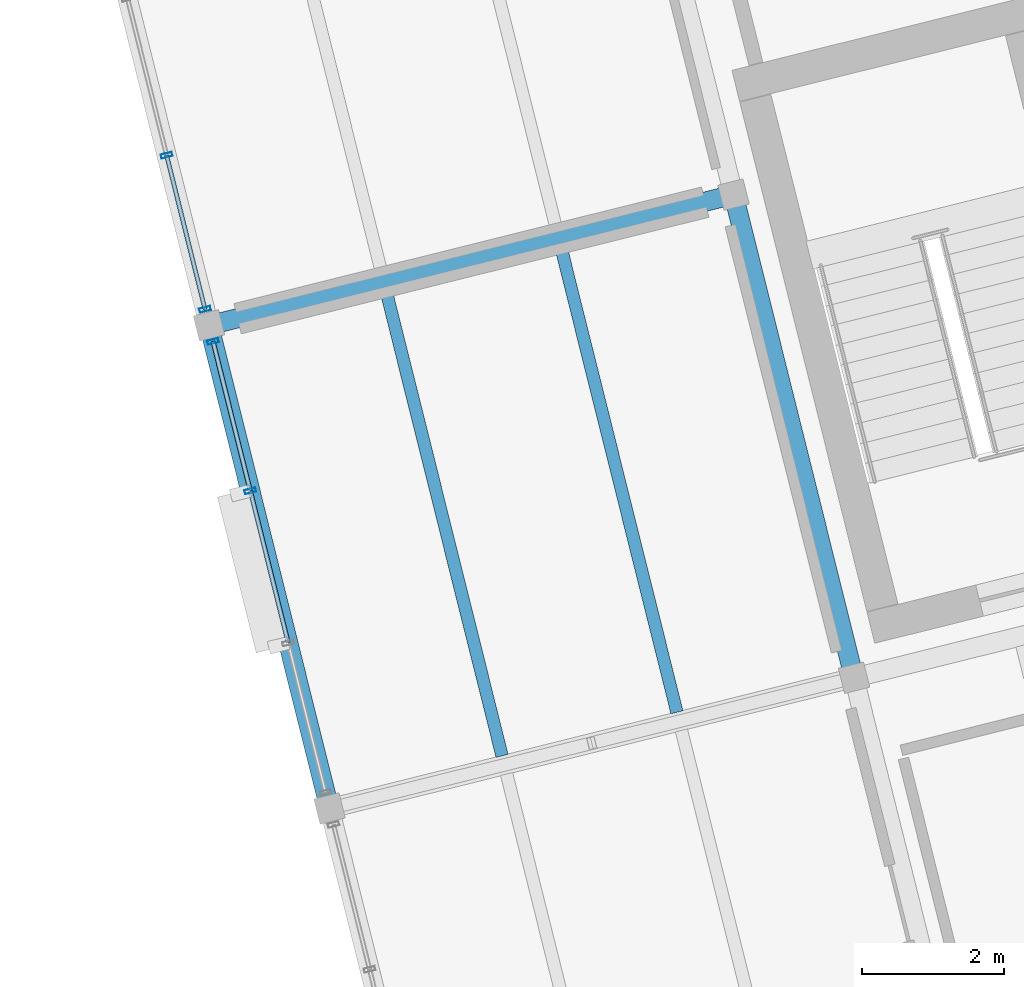
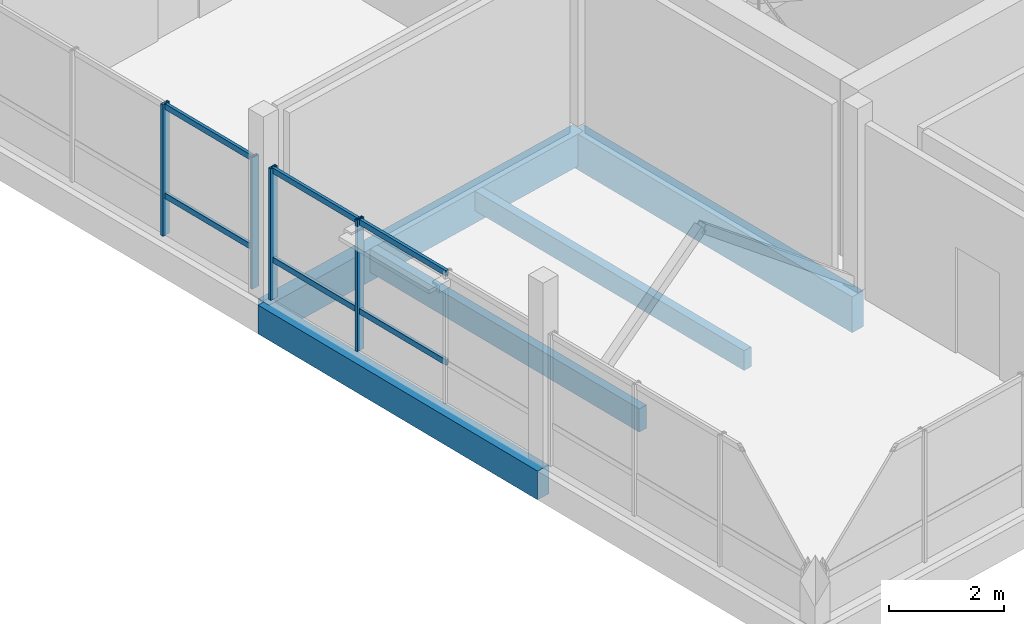
# One storey, part 3 of 28: 10 members, 5 beams, 2 elements without a shape of their own.
"""IFC4 building model written with IfcOpenShell, lengths in metres."""

from ifc_helpers import new_model, si_unit, direction, frame, origin, origin_2d, place, context, subcontext, project, spatial, rectangle, hollow_rectangle, extrude, material, layer, layer_set, material_profile, profile_set, type_object, element, aggregate, save


model = new_model("IFC4")

# Units and contexts
model_context = context("Model", 3, precision=1e-05, world=origin(), true_north=direction((0.0, 1.0)))
body_context = subcontext(model_context, "Body", "Model", "MODEL_VIEW")
ifc_project = project(units=[si_unit("LENGTHUNIT", "METRE"), si_unit("AREAUNIT", "SQUARE_METRE"), si_unit("VOLUMEUNIT", "CUBIC_METRE"), si_unit("PLANEANGLEUNIT", "RADIAN"), si_unit("MASSUNIT", "GRAM", prefix="KILO")], contexts=[model_context])

# Site, building, storey
site_placement = place(None, origin())
site = spatial("IfcSite", under=ifc_project, at=site_placement, CompositionType="ELEMENT")
building_placement = place(site_placement, origin())
building = spatial("IfcBuilding", under=site, at=building_placement, Name="Meriwether Solvik Hall", CompositionType="ELEMENT")
storey_placement = place(building_placement, frame((0.0, 0.0, 45.60009765625)))
storey = spatial("IfcBuildingStorey", under=building, at=storey_placement, Name="L11", CompositionType="ELEMENT", Elevation=45.60009765625)

# Beams
ifc_material_1 = material(Name="Glulam Douglas-Fir 24F-V8 GL28h", Category="wood")
ifc_material_profile_1 = material_profile(ifc_material_1, rectangle(XDim=0.27294921875, YDim=0.610107421875, at=origin_2d()), Name="GLB-273X610")
ifc_profile_set_1 = profile_set([ifc_material_profile_1], Name="Glulam Douglas-Fir 24F-V8 GL28h")
beam_type_1 = type_object("IfcBeamType", Name="BM-GL-273X610", PredefinedType="SPANDREL", material=ifc_profile_set_1)
beam_1_placement = place(storey_placement, frame((66.954833984375, 47.798095703125, -0.505126953125), z_axis=(-0.241911879182, 0.970298223594, 0.0), x_axis=(-0.970298223594, -0.241911879182, 0.0)))
element("IfcBeam", 1, at=beam_1_placement, inside=storey, type_object=beam_type_1, Name="Tower Girder T1:TB-TC (L11)", PredefinedType="SPANDREL", context=body_context, shape_type="SweptSolid", body=[
    extrude(rectangle(XDim=0.27294921875, YDim=0.610107421875, at=origin_2d()), origin(), (0.0, 0.0, 1.0), 7.0),
])
ifc_material_2 = material(Name="Glulam Douglas-Fir 24F-V8 GL28h", Category="wood")
ifc_material_profile_2 = material_profile(ifc_material_2, rectangle(XDim=0.27294921875, YDim=0.68505859375, at=origin_2d()), Name="GLB-273X685")
ifc_profile_set_2 = profile_set([ifc_material_profile_2], Name="Glulam Douglas-Fir 24F-V8 GL28h")
beam_type_2 = type_object("IfcBeamType", Name="BM-GL-273X685", PredefinedType="BEAM", material=ifc_profile_set_2)
beam_2_placement = place(storey_placement, frame((65.261474609375, 54.590087890625, -0.54248046875), z_axis=(0.970295366785, 0.241923337436, 0.0), x_axis=(-0.241923337436, 0.970295366785, 0.0)))
element("IfcBeam", 2, at=beam_2_placement, inside=storey, type_object=beam_type_2, Name="Tower Girder TC:T1-T2 (L11)", PredefinedType="BEAM", context=body_context, shape_type="SweptSolid", body=[
    extrude(rectangle(XDim=0.27294921875, YDim=0.68505859375, at=origin_2d()), origin(), (0.0, 0.0, 1.0), 7.60009765625),
])
ifc_material_3 = material(Name="Glulam Douglas-Fir 24F-V8 GL28h", Category="wood")
ifc_material_profile_3 = material_profile(ifc_material_3, rectangle(XDim=0.27294921875, YDim=0.760009765625, at=origin_2d()), Name="GLB-273X760")
ifc_profile_set_3 = profile_set([ifc_material_profile_3], Name="Glulam Douglas-Fir 24F-V8 GL28h")
beam_type_3 = type_object("IfcBeamType", Name="BM-GL-273X760", PredefinedType="BEAM", material=ifc_profile_set_3)
beam_3_placement = place(storey_placement, frame((74.3291015625, 49.63671875, -0.580078125), z_axis=(-0.241911879182, 0.970298223594, 0.0), x_axis=(-0.970298223594, -0.241911879182, 0.0)))
element("IfcBeam", 3, at=beam_3_placement, inside=storey, type_object=beam_type_3, Name="Tower Girder T2:TB-TC (L11)", PredefinedType="BEAM", context=body_context, shape_type="SweptSolid", body=[
    extrude(rectangle(XDim=0.27294921875, YDim=0.760009765625, at=origin_2d()), origin(), (0.0, 0.0, 1.0), 7.0),
])

# Curtain wall, members
ifc_material_4 = material(Name="Thermally Broken Anodised Aluminium 6063-T6 and Low-E Glass", Category="aluminium")
ifc_layer_1 = layer(ifc_material_4, 0.179931640625)
ifc_layer_set_1 = layer_set([ifc_layer_1], Name="Thermally Broken Anodised Aluminium 6063-T6 and Low-E Glass")
curtain_wall_type_1 = type_object("IfcCurtainWallType", Name="CW-UNIT-F", PredefinedType="USERDEFINED", material=ifc_layer_set_1)
curtain_wall_1_placement = place(storey_placement, origin())
curtain_wall_1 = element("IfcCurtainWall", 4, at=curtain_wall_1_placement, inside=storey, type_object=curtain_wall_type_1, Name="Curtain Wall E3_B1 (L11)", ObjectType="UNITISED CURTAIN WALL", PredefinedType="USERDEFINED")
ifc_material_5 = material(Name="Anodised Aluminium 6063-T6", Category="aluminium")
ifc_material_profile_4 = material_profile(ifc_material_5, hollow_rectangle(XDim=0.06005859375, YDim=0.159912109375, WallThickness=0.00390625, at=origin_2d()), Name="CWM-60X160")
ifc_profile_set_4 = profile_set([ifc_material_profile_4], Name="Anodised Aluminium 6063-T6")
member_type_1 = type_object("IfcMemberType", Name="CW-MUL-60X160", PredefinedType="MULLION", material=ifc_profile_set_4)
member_1_placement = place(storey_placement, frame((65.841552734375, 52.26318359375, 0.0), z_axis=(0.0, 0.0, 1.0), x_axis=(-0.24192176891, 0.970295757863, 0.0)))
member_1 = element("IfcMember", 5, at=member_1_placement, type_object=member_type_1, Name="Curtain Wall Mullion 3", PredefinedType="MULLION", context=body_context, shape_type="SweptSolid", body=[
    extrude(hollow_rectangle(XDim=0.06005859375, YDim=0.159912109375, WallThickness=0.00390625, at=origin_2d()), origin(), (0.0, 0.0, 1.0), 2.789794921875),
])
member_2_placement = place(storey_placement, frame((65.317626953125, 54.364501953125, 0.0), z_axis=(0.0, 0.0, 1.0), x_axis=(-0.24192176891, 0.970295757863, 0.0)))
member_2 = element("IfcMember", 6, at=member_2_placement, type_object=member_type_1, Name="Curtain Wall Mullion 4", PredefinedType="MULLION", context=body_context, shape_type="SweptSolid", body=[
    extrude(hollow_rectangle(XDim=0.06005859375, YDim=0.159912109375, WallThickness=0.00390625, at=origin_2d()), origin(), (0.0, 0.0, 1.0), 2.789794921875),
])

ifc_material_6 = material(Name="Thermally Broken Anodised Aluminium 6063-T6 and Low-E Glass", Category="aluminium")
ifc_layer_2 = layer(ifc_material_6, 0.179931640625)
ifc_layer_set_2 = layer_set([ifc_layer_2], Name="Thermally Broken Anodised Aluminium 6063-T6 and Low-E Glass")
curtain_wall_type_2 = type_object("IfcCurtainWallType", Name="CW-UNIT-G", PredefinedType="USERDEFINED", material=ifc_layer_set_2)
curtain_wall_2_placement = place(storey_placement, origin())
curtain_wall_2 = element("IfcCurtainWall", 7, at=curtain_wall_2_placement, inside=storey, type_object=curtain_wall_type_2, Name="Curtain Wall E3_B2 (L11)", ObjectType="UNITISED CURTAIN WALL", PredefinedType="USERDEFINED")
member_3_placement = place(storey_placement, frame((65.205322265625, 54.815673828125, 0.0), z_axis=(0.0, 0.0, 1.0), x_axis=(-0.241921897937, 0.970295725693, 0.0)))
member_3 = element("IfcMember", 8, at=member_3_placement, type_object=member_type_1, Name="Curtain Wall Mullion 1", PredefinedType="MULLION", context=body_context, shape_type="SweptSolid", body=[
    extrude(hollow_rectangle(XDim=0.06005859375, YDim=0.159912109375, WallThickness=0.00390625, at=origin_2d()), origin(), (0.0, 0.0, 1.0), 2.789794921875),
])
member_4_placement = place(storey_placement, frame((64.665283203125, 56.981689453125, 0.0), z_axis=(0.0, 0.0, 1.0), x_axis=(-0.241921897937, 0.970295725693, 0.0)))
member_4 = element("IfcMember", 9, at=member_4_placement, type_object=member_type_1, Name="Curtain Wall Mullion 2", PredefinedType="MULLION", context=body_context, shape_type="SweptSolid", body=[
    extrude(hollow_rectangle(XDim=0.06005859375, YDim=0.159912109375, WallThickness=0.00390625, at=origin_2d()), origin(), (0.0, 0.0, 1.0), 2.789794921875),
])

# Member
ifc_material_7 = material(Name="Anodised Aluminium 6063-T6", Category="aluminium")
ifc_material_profile_5 = material_profile(ifc_material_7, hollow_rectangle(XDim=0.06005859375, YDim=0.1201171875, WallThickness=0.00390625, at=origin_2d()), Name="CWT-60X120")
ifc_profile_set_5 = profile_set([ifc_material_profile_5], Name="Anodised Aluminium 6063-T6")
member_type_2 = type_object("IfcMemberType", Name="CW-TRN-60X120", PredefinedType="USERDEFINED", material=ifc_profile_set_5)
member_5_placement = place(storey_placement, frame((66.374755859375, 50.125, 0.8369140625), z_axis=(-0.241962089235, 0.970285703993, 0.0), x_axis=(-0.970285703993, -0.241962089235, 0.0)))
member_5 = element("IfcMember", 10, at=member_5_placement, type_object=member_type_2, Name="Curtain Wall Transom 2-sill", ObjectType="TRANSOM", PredefinedType="USERDEFINED", context=body_context, shape_type="SweptSolid", body=[
    extrude(hollow_rectangle(XDim=0.06005859375, YDim=0.1201171875, WallThickness=0.00390625, at=origin_2d()), origin(), (0.0, 0.0, 1.0), 2.20361328125),
])

member_6_placement = place(storey_placement, frame((66.374755859375, 50.125, 2.72998046875), z_axis=(-0.241962089235, 0.970285703993, 0.0), x_axis=(-0.970285703993, -0.241962089235, 0.0)))
member_6 = element("IfcMember", 11, at=member_6_placement, type_object=member_type_2, Name="Curtain Wall Transom 2-head", ObjectType="TRANSOM", PredefinedType="USERDEFINED", context=body_context, shape_type="SweptSolid", body=[
    extrude(hollow_rectangle(XDim=0.06005859375, YDim=0.1201171875, WallThickness=0.00390625, at=origin_2d()), origin(), (0.0, 0.0, 1.0), 2.20361328125),
])

member_7_placement = place(storey_placement, frame((65.841552734375, 52.26318359375, 0.8369140625), z_axis=(-0.241925491414, 0.970294829732, 0.0), x_axis=(-0.970294829732, -0.241925491414, 0.0)))
member_7 = element("IfcMember", 12, at=member_7_placement, type_object=member_type_2, Name="Curtain Wall Transom 3-sill", ObjectType="TRANSOM", PredefinedType="USERDEFINED", context=body_context, shape_type="SweptSolid", body=[
    extrude(hollow_rectangle(XDim=0.06005859375, YDim=0.1201171875, WallThickness=0.00390625, at=origin_2d()), origin(), (0.0, 0.0, 1.0), 2.16552734375),
])

member_8_placement = place(storey_placement, frame((65.841552734375, 52.26318359375, 2.72998046875), z_axis=(-0.241925491414, 0.970294829732, 0.0), x_axis=(-0.970294829732, -0.241925491414, 0.0)))
member_8 = element("IfcMember", 13, at=member_8_placement, type_object=member_type_2, Name="Curtain Wall Transom 3-head", ObjectType="TRANSOM", PredefinedType="USERDEFINED", context=body_context, shape_type="SweptSolid", body=[
    extrude(hollow_rectangle(XDim=0.06005859375, YDim=0.1201171875, WallThickness=0.00390625, at=origin_2d()), origin(), (0.0, 0.0, 1.0), 2.16552734375),
])

aggregate(curtain_wall_1, [member_1, member_2, member_5, member_6, member_7, member_8])

member_9_placement = place(storey_placement, frame((65.205322265625, 54.815673828125, 0.8369140625), z_axis=(-0.241917978668, 0.970296702868, 0.0), x_axis=(-0.970296702868, -0.241917978668, 0.0)))
member_9 = element("IfcMember", 14, at=member_9_placement, type_object=member_type_2, Name="Curtain Wall Transom 1-sill", ObjectType="TRANSOM", PredefinedType="USERDEFINED", context=body_context, shape_type="SweptSolid", body=[
    extrude(hollow_rectangle(XDim=0.06005859375, YDim=0.1201171875, WallThickness=0.00390625, at=origin_2d()), origin(), (0.0, 0.0, 1.0), 2.232421875),
])

member_10_placement = place(storey_placement, frame((65.205322265625, 54.815673828125, 2.72998046875), z_axis=(-0.241917978668, 0.970296702868, 0.0), x_axis=(-0.970296702868, -0.241917978668, 0.0)))
member_10 = element("IfcMember", 15, at=member_10_placement, type_object=member_type_2, Name="Curtain Wall Transom 1-head", ObjectType="TRANSOM", PredefinedType="USERDEFINED", context=body_context, shape_type="SweptSolid", body=[
    extrude(hollow_rectangle(XDim=0.06005859375, YDim=0.1201171875, WallThickness=0.00390625, at=origin_2d()), origin(), (0.0, 0.0, 1.0), 2.232421875),
])

aggregate(curtain_wall_2, [member_3, member_4, member_9, member_10])

# Beams
ifc_material_8 = material(Name="Glulam Douglas-Fir 24F-V8 GL28h", Category="wood")
ifc_material_profile_6 = material_profile(ifc_material_8, rectangle(XDim=0.175048828125, YDim=0.419921875, at=origin_2d()), Name="GLJ-175X420")
ifc_profile_set_6 = profile_set([ifc_material_profile_6], Name="Glulam Douglas-Fir 24F-V8 GL28h")
beam_type_4 = type_object("IfcBeamType", Name="JST-GL-175X420", PredefinedType="JOIST", material=ifc_profile_set_6)
beam_4_placement = place(storey_placement, frame((71.83935546875, 49.1513671875, -0.41015625), z_axis=(-0.241930176813, 0.9702936615, 0.0), x_axis=(-0.9702936615, -0.241930176813, 0.0)))
element("IfcBeam", 16, at=beam_4_placement, inside=storey, type_object=beam_type_4, Name="Glulam Floor Joist T1/TB-J2 (L11)", PredefinedType="JOIST", context=body_context, shape_type="SweptSolid", body=[
    extrude(rectangle(XDim=0.175048828125, YDim=0.419921875, at=origin_2d()), origin(), (0.0, 0.0, 1.0), 6.737060546875),
])
ifc_material_9 = material(Name="Glulam Douglas-Fir 24F-V8 GL28h", Category="wood")
ifc_material_profile_7 = material_profile(ifc_material_9, rectangle(XDim=0.175048828125, YDim=0.4951171875, at=origin_2d()), Name="GLJ-175X495")
ifc_profile_set_7 = profile_set([ifc_material_profile_7], Name="Glulam Douglas-Fir 24F-V8 GL28h")
beam_type_5 = type_object("IfcBeamType", Name="JST-GL-175X495", PredefinedType="JOIST", material=ifc_profile_set_7)
beam_5_placement = place(storey_placement, frame((69.381103515625, 48.53857421875, -0.447509765625), z_axis=(-0.241930176813, 0.9702936615, 0.0), x_axis=(-0.9702936615, -0.241930176813, 0.0)))
element("IfcBeam", 17, at=beam_5_placement, inside=storey, type_object=beam_type_5, Name="Glulam Floor Joist T1/TB-J1 (L11)", PredefinedType="JOIST", context=body_context, shape_type="SweptSolid", body=[
    extrude(rectangle(XDim=0.175048828125, YDim=0.4951171875, at=origin_2d()), origin(), (0.0, 0.0, 1.0), 6.737060546875),
])

save(model, "model.ifc")
